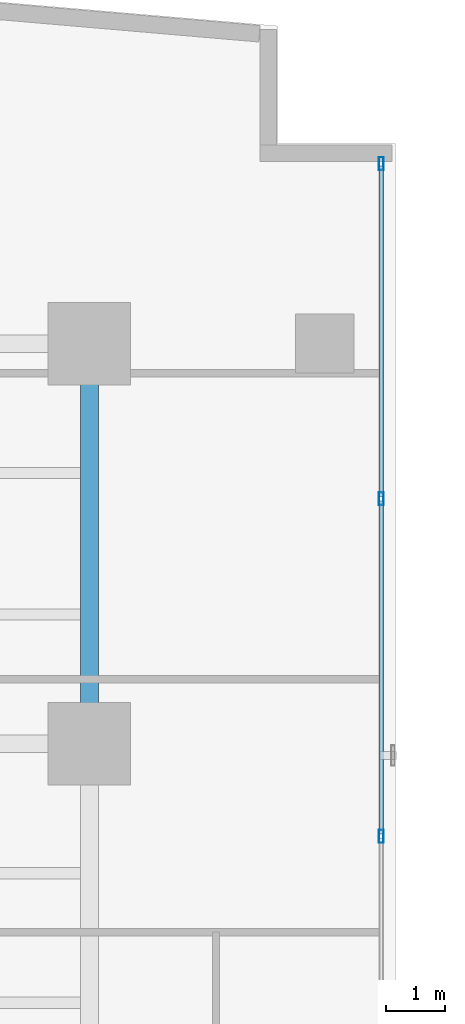
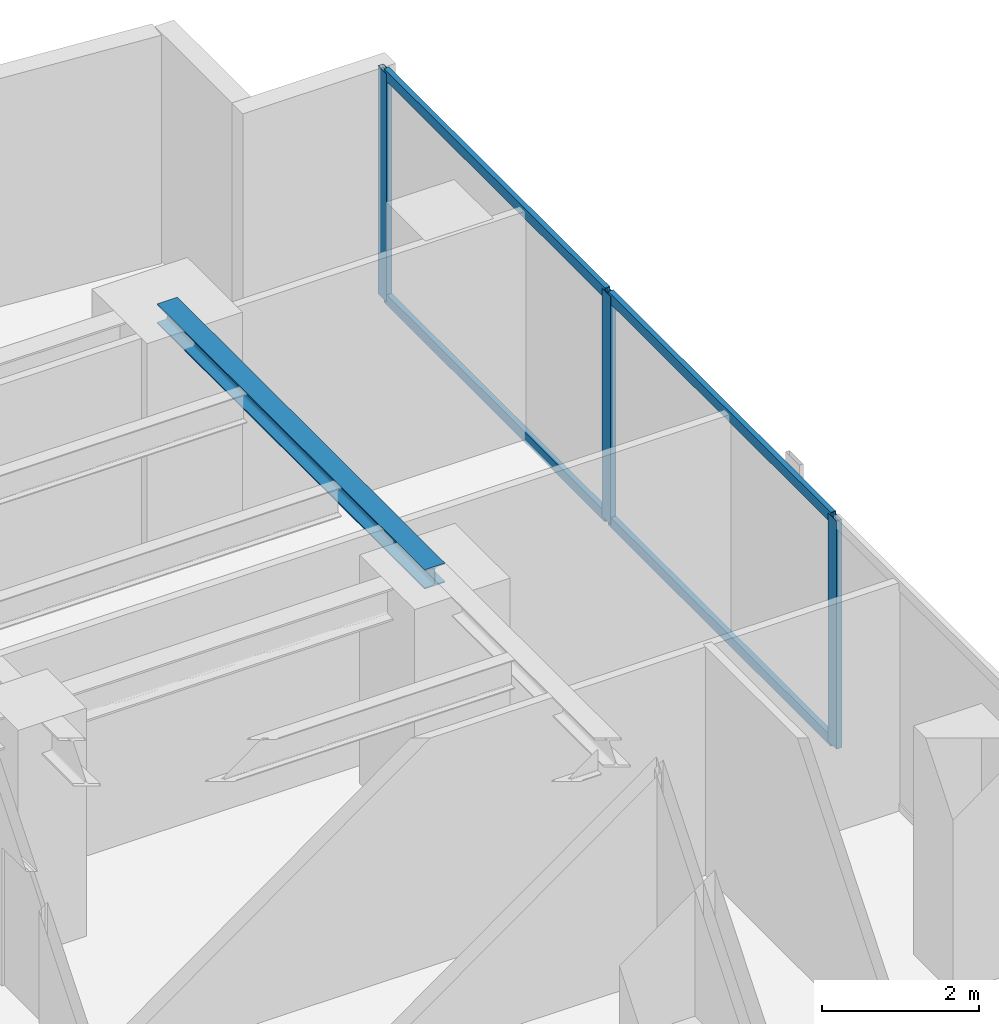
# One storey, part 17 of 26: 7 members, 1 beam, 1 element without a shape of its own.
"""IFC4 building model written with IfcOpenShell, lengths in metres."""

from ifc_helpers import new_model, si_unit, direction, frame, origin, origin_with_axes, origin_2d, place, context, subcontext, project, spatial, hollow_rectangle, i_section, extrude, source, transform, mapped, material, layer, layer_set, material_profile, profile_set, type_object, element, aggregate, save


model = new_model("IFC4")

# Units and contexts
model_context = context("Model", 3, precision=1e-05, world=origin(), true_north=direction((0.0, 1.0)))
body_context = subcontext(model_context, "Body", "Model", "MODEL_VIEW")
ifc_project = project(units=[si_unit("LENGTHUNIT", "METRE"), si_unit("AREAUNIT", "SQUARE_METRE"), si_unit("VOLUMEUNIT", "CUBIC_METRE"), si_unit("PLANEANGLEUNIT", "RADIAN"), si_unit("MASSUNIT", "GRAM", prefix="KILO")], contexts=[model_context])

# Site, building, storey
site_placement = place(None, origin())
site = spatial("IfcSite", under=ifc_project, at=site_placement, CompositionType="ELEMENT")
building_placement = place(site_placement, origin())
building = spatial("IfcBuilding", under=site, at=building_placement, Name="Kolvaren Waterfront Exchange", CompositionType="ELEMENT")
storey_placement = place(building_placement, frame((0.0, 0.0, 110.699951171875)))
storey = spatial("IfcBuildingStorey", under=building, at=storey_placement, Name="L28", CompositionType="ELEMENT", Elevation=110.699951171875)

# Beam
ifc_material_1 = material(Name="Steel S355", Category="steel")
ifc_material_profile_1 = material_profile(ifc_material_1, i_section(OverallWidth=0.300048828125, OverallDepth=0.300048828125, WebThickness=0.010986328125, FlangeThickness=0.01904296875, FilletRadius=0.027099609375, at=origin_2d()), Name="HEB300")
ifc_profile_set_1 = profile_set([ifc_material_profile_1], Name="Steel S355")
beam_type = type_object("IfcBeamType", Name="STR-BM-HEB300", PredefinedType="SPANDREL", material=ifc_profile_set_1)
beam_placement = place(storey_placement, frame((18.800048828125, 37.800048828125, 3.39013671875), z_axis=(0.0, 1.0, 0.0), x_axis=(-1.0, 0.0, 0.0)))
element("IfcBeam", 1, at=beam_placement, inside=storey, type_object=beam_type, Name="L28 north-arm edge beam 3", PredefinedType="SPANDREL", context=body_context, shape_type="SweptSolid", body=[
    extrude(i_section(OverallWidth=0.300048828125, OverallDepth=0.300048828125, WebThickness=0.010986328125, FlangeThickness=0.01904296875, FilletRadius=0.027099609375, at=origin_2d()), origin(), (0.0, 0.0, 1.0), 6.800048828125),
])

# Curtain wall, members
ifc_material_2 = material(Name="Anodised bronze aluminium 6063-T6", Category="aluminium")
ifc_layer = layer(ifc_material_2, 0.219970703125, Name="Anodised bronze aluminium 6063-T6")
ifc_layer_set = layer_set([ifc_layer], Name="Anodised bronze aluminium 6063-T6")
curtain_wall_type = type_object("IfcCurtainWallType", Name="ARC-CW-SYS4", PredefinedType="USERDEFINED", material=ifc_layer_set)
curtain_wall_placement = place(storey_placement, origin())
curtain_wall = element("IfcCurtainWall", 2, at=curtain_wall_placement, inside=storey, type_object=curtain_wall_type, Name="L28 stick curtain wall CW4 (CW-L28-NE)", ObjectType="STICK CURTAIN WALL", PredefinedType="USERDEFINED")
ifc_material_3 = material(Name="Anodised aluminium 6063-T6", Category="aluminium")
ifc_material_profile_2 = material_profile(ifc_material_3, hollow_rectangle(XDim=0.080078125, YDim=0.219970703125, WallThickness=0.0048828125, at=origin_2d()), Name="ALU-MUL-220x80x5")
ifc_profile_set_2 = profile_set([ifc_material_profile_2], Name="Anodised aluminium 6063-T6")
member_type_1 = type_object("IfcMemberType", Name="ARC-CWM-220", PredefinedType="MULLION", material=ifc_profile_set_2)
shared_shape_1 = source(origin_with_axes(), body_context, "Body", "SweptSolid", [
    extrude(hollow_rectangle(XDim=0.080078125, YDim=0.219970703125, WallThickness=0.0048828125, at=origin_2d()), origin(), (0.0, 0.0, 1.0), 3.5400390625),
])
member_1_placement = place(storey_placement, frame((23.760009765625, 36.2265625, 0.0), z_axis=(0.0, 0.0, 1.0), x_axis=(-1.0, 0.0, 0.0)))
member_1 = element("IfcMember", 3, at=member_1_placement, type_object=member_type_1, Name="CW4 mullion 2", PredefinedType="MULLION", context=body_context, shape_type="MappedRepresentation", body=[
    mapped(shared_shape_1, transform((0.0, 0.0, 0.0), x_axis=(1.0, 0.0, 0.0), y_axis=(0.0, 1.0, 0.0), z_axis=(0.0, 0.0, 1.0), scale=1.0)),
])
member_2_placement = place(storey_placement, frame((23.760009765625, 41.96337890625, 0.0), z_axis=(0.0, 0.0, 1.0), x_axis=(-1.0, 0.0, 0.0)))
member_2 = element("IfcMember", 4, at=member_2_placement, type_object=member_type_1, Name="CW4 mullion 3", PredefinedType="MULLION", context=body_context, shape_type="MappedRepresentation", body=[
    mapped(shared_shape_1, transform((0.0, 0.0, 0.0), x_axis=(1.0, 0.0, 0.0), y_axis=(0.0, 1.0, 0.0), z_axis=(0.0, 0.0, 1.0), scale=1.0)),
])
member_3_placement = place(storey_placement, frame((23.760009765625, 47.659912109375, 0.0), z_axis=(0.0, 0.0, 1.0), x_axis=(-1.0, 0.0, 0.0)))
member_3 = element("IfcMember", 5, at=member_3_placement, type_object=member_type_1, Name="CW4 mullion 4", PredefinedType="MULLION", context=body_context, shape_type="MappedRepresentation", body=[
    mapped(shared_shape_1, transform((0.0, 0.0, 0.0), x_axis=(1.0, 0.0, 0.0), y_axis=(0.0, 1.0, 0.0), z_axis=(0.0, 0.0, 1.0), scale=1.0)),
])
ifc_material_profile_3 = material_profile(ifc_material_3, hollow_rectangle(XDim=0.074951171875, YDim=0.159912109375, WallThickness=0.00439453125, at=origin_2d()), Name="ALU-TRN-160x75x4.5")
ifc_profile_set_3 = profile_set([ifc_material_profile_3], Name="Anodised aluminium 6063-T6")
member_type_2 = type_object("IfcMemberType", Name="ARC-CWT-160", PredefinedType="USERDEFINED", material=ifc_profile_set_3)
shared_shape_2 = source(origin_with_axes(), body_context, "Body", "SweptSolid", [
    extrude(hollow_rectangle(XDim=0.074951171875, YDim=0.159912109375, WallThickness=0.00439453125, at=origin_2d()), origin(), (0.0, 0.0, 1.0), 5.61669921875),
])
member_4_placement = place(storey_placement, frame((23.760009765625, 42.00341796875, 0.03759765625), z_axis=(0.0, 1.0, 0.0), x_axis=(-1.0, 0.0, 0.0)))
member_4 = element("IfcMember", 6, at=member_4_placement, type_object=member_type_2, Name="CW4 transom 3.1", ObjectType="TRANSOM", PredefinedType="USERDEFINED", context=body_context, shape_type="MappedRepresentation", body=[
    mapped(shared_shape_2, transform((0.0, 0.0, 0.0), x_axis=(1.0, 0.0, 0.0), y_axis=(0.0, 1.0, 0.0), z_axis=(0.0, 0.0, 1.0), scale=1.0)),
])
member_5_placement = place(storey_placement, frame((23.760009765625, 42.00341796875, 3.50244140625), z_axis=(0.0, 1.0, 0.0), x_axis=(-1.0, 0.0, 0.0)))
member_5 = element("IfcMember", 7, at=member_5_placement, type_object=member_type_2, Name="CW4 transom 3.2", ObjectType="TRANSOM", PredefinedType="USERDEFINED", context=body_context, shape_type="MappedRepresentation", body=[
    mapped(shared_shape_2, transform((0.0, 0.0, 0.0), x_axis=(1.0, 0.0, 0.0), y_axis=(0.0, 1.0, 0.0), z_axis=(0.0, 0.0, 1.0), scale=1.0)),
])
shared_shape_3 = source(origin_with_axes(), body_context, "Body", "SweptSolid", [
    extrude(hollow_rectangle(XDim=0.074951171875, YDim=0.159912109375, WallThickness=0.00439453125, at=origin_2d()), origin(), (0.0, 0.0, 1.0), 5.65673828125),
])
member_6_placement = place(storey_placement, frame((23.760009765625, 36.2666015625, 0.03759765625), z_axis=(0.0, 1.0, 0.0), x_axis=(-1.0, 0.0, 0.0)))
member_6 = element("IfcMember", 8, at=member_6_placement, type_object=member_type_2, Name="CW4 transom 2.1", ObjectType="TRANSOM", PredefinedType="USERDEFINED", context=body_context, shape_type="MappedRepresentation", body=[
    mapped(shared_shape_3, transform((0.0, 0.0, 0.0), x_axis=(1.0, 0.0, 0.0), y_axis=(0.0, 1.0, 0.0), z_axis=(0.0, 0.0, 1.0), scale=1.0)),
])
member_7_placement = place(storey_placement, frame((23.760009765625, 36.2666015625, 3.50244140625), z_axis=(0.0, 1.0, 0.0), x_axis=(-1.0, 0.0, 0.0)))
member_7 = element("IfcMember", 9, at=member_7_placement, type_object=member_type_2, Name="CW4 transom 2.2", ObjectType="TRANSOM", PredefinedType="USERDEFINED", context=body_context, shape_type="MappedRepresentation", body=[
    mapped(shared_shape_3, transform((0.0, 0.0, 0.0), x_axis=(1.0, 0.0, 0.0), y_axis=(0.0, 1.0, 0.0), z_axis=(0.0, 0.0, 1.0), scale=1.0)),
])
aggregate(curtain_wall, [member_1, member_2, member_3, member_6, member_7, member_4, member_5])

save(model, "model.ifc")
